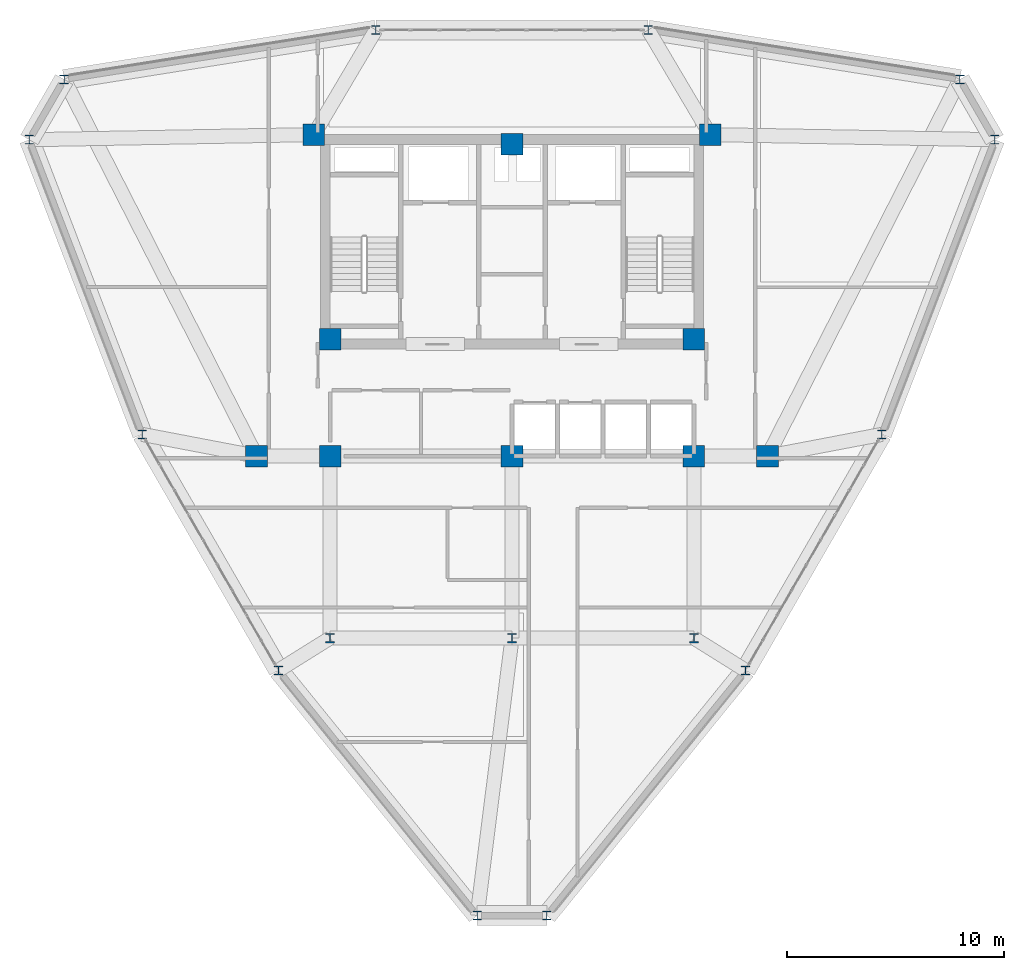
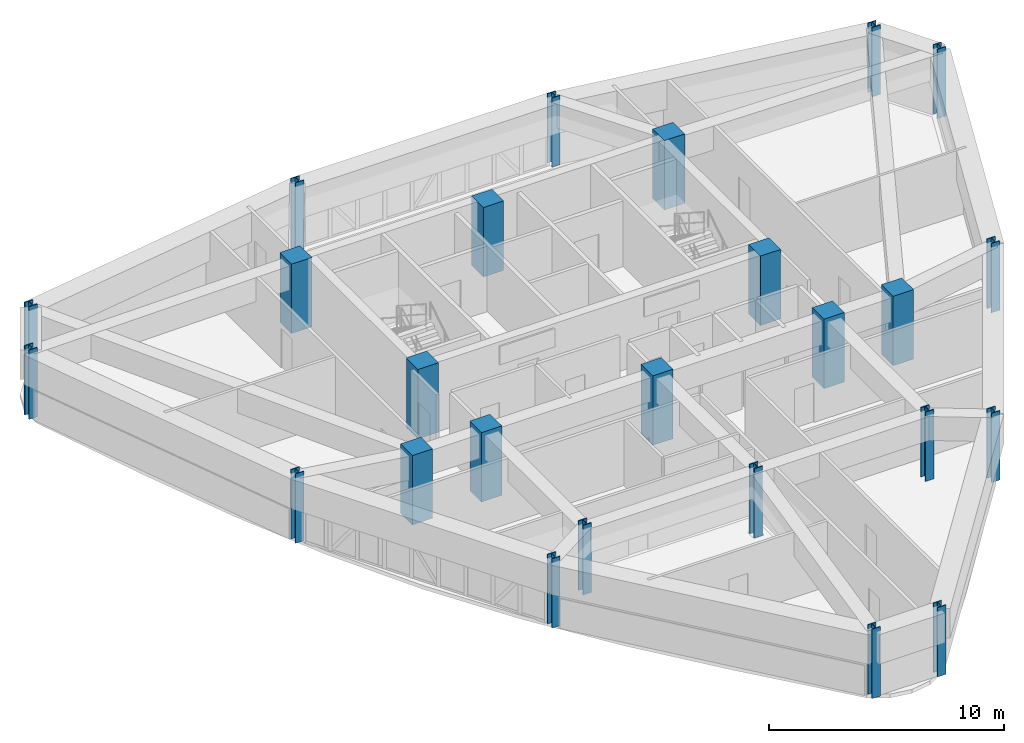
# One storey, part 1 of 13: 25 columns.
"""IFC4 building model written with IfcOpenShell, lengths in metres."""

from ifc_helpers import new_model, si_unit, derived_unit, direction, frame, origin, origin_2d, place, context, subcontext, project, spatial, rectangle, i_section, extrude, source, transform, mapped, material, material_profile, profile_set, type_object, element, save


model = new_model("IFC4")

# Units and contexts
model_context = context("Model", 3, precision=1e-05, world=origin(), true_north=direction((0.0, 1.0)))
body_context = subcontext(model_context, "Body", "Model", "MODEL_VIEW")
ifc_project = project(units=[si_unit("LENGTHUNIT", "METRE"), si_unit("AREAUNIT", "SQUARE_METRE"), si_unit("VOLUMEUNIT", "CUBIC_METRE"), si_unit("PLANEANGLEUNIT", "RADIAN"), si_unit("MASSUNIT", "GRAM", prefix="KILO"), derived_unit("THERMALTRANSMITTANCEUNIT", [(si_unit("POWERUNIT", "WATT"), 1), (si_unit("LENGTHUNIT", "METRE"), -2), (si_unit("THERMODYNAMICTEMPERATUREUNIT", "KELVIN"), -1)])], contexts=[model_context])

# Site, building, storey
site_placement = place(None, origin())
site = spatial("IfcSite", under=ifc_project, at=site_placement, CompositionType="ELEMENT")
building_placement = place(site_placement, origin())
building = spatial("IfcBuilding", under=site, at=building_placement, Name="Korsvarv Bourse and Concert Hall", CompositionType="ELEMENT")
storey_placement = place(building_placement, frame((0.0, 0.0, 183.0)))
storey = spatial("IfcBuildingStorey", under=building, at=storey_placement, Name="L47", CompositionType="ELEMENT", Elevation=183.0)

# Columns
ifc_material_1 = material(Name="Steel S355", Category="steel")
ifc_material_profile_1 = material_profile(ifc_material_1, i_section(OverallWidth=0.412109375, OverallDepth=0.43505859375, WebThickness=0.032958984375, FlangeThickness=0.052978515625, FilletRadius=0.014892578125, at=origin_2d()), Name="HD 400x463")
ifc_profile_set_1 = profile_set([ifc_material_profile_1], Name="Steel S355")
column_type_1 = type_object("IfcColumnType", Name="COL-HD463", PredefinedType="COLUMN", material=ifc_profile_set_1)
shared_shape_1 = source(origin(), body_context, "Body", "SweptSolid", [
    extrude(i_section(OverallWidth=0.412109375, OverallDepth=0.43505859375, WebThickness=0.032958984375, FlangeThickness=0.052978515625, FilletRadius=0.014892578125, at=origin_2d()), origin(), (0.0, 0.0, 1.0), 3.60009765625),
])
for number, where, z_axis, x_axis, name in (
    (1, (27.60009765625, 24.0, 0.0), (0.0, 0.0, 1.0), (1.0, 0.0, 0.0), "L47 column C-09"),
    (2, (44.39990234375, 24.0, 0.0), (0.0, 0.0, 1.0), (1.0, 0.0, 0.0), "L47 column C-09"),
    (3, (36.0, 24.0, 0.0), (0.0, 0.0, 1.0), (1.0, 0.0, 0.0), "L47 column C-09"),
):
    element("IfcColumn", number, at=place(storey_placement, frame(where, z_axis=z_axis, x_axis=x_axis)), inside=storey, type_object=column_type_1, Name=name, PredefinedType="COLUMN", context=body_context, shape_type="MappedRepresentation", body=[
        mapped(shared_shape_1, transform((0.0, 0.0, 0.0), scale=1.0)),
    ])
ifc_material_2 = material(Name="Concrete C55/67", Category="concrete")
ifc_material_profile_2 = material_profile(ifc_material_2, rectangle(XDim=1.0, YDim=1.0, at=origin_2d()), Name="RC 1000x1000")
ifc_profile_set_2 = profile_set([ifc_material_profile_2], Name="Concrete C55/67")
column_type_2 = type_object("IfcColumnType", Name="COL-RC1000", PredefinedType="COLUMN", material=ifc_profile_set_2)
shared_shape_2 = source(origin(), body_context, "Body", "SweptSolid", [
    extrude(rectangle(XDim=1.0, YDim=1.0, at=origin_2d()), origin(), (0.0, 0.0, 1.0), 3.60009765625),
])
for number, where, z_axis, x_axis, name in (
    (4, (26.85009765625, 47.25, 0.0), (0.0, 0.0, 1.0), (1.0, 0.0, 0.0), "L47 column C-03"),
    (5, (45.14990234375, 47.25, 0.0), (0.0, 0.0, 1.0), (1.0, 0.0, 0.0), "L47 column C-03"),
    (6, (27.60009765625, 37.800048828125, 0.0), (0.0, 0.0, 1.0), (1.0, 0.0, 0.0), "L47 column C-03"),
    (7, (44.39990234375, 37.800048828125, 0.0), (0.0, 0.0, 1.0), (1.0, 0.0, 0.0), "L47 column C-03"),
    (8, (27.60009765625, 32.39990234375, 0.0), (0.0, 0.0, 1.0), (1.0, 0.0, 0.0), "L47 column C-03"),
    (9, (44.39990234375, 32.39990234375, 0.0), (0.0, 0.0, 1.0), (1.0, 0.0, 0.0), "L47 column C-03"),
    (10, (36.0, 46.800048828125, 0.0), (0.0, 0.0, 1.0), (1.0, 0.0, 0.0), "L47 column C-03"),
    (11, (36.0, 32.39990234375, 0.0), (0.0, 0.0, 1.0), (1.0, 0.0, 0.0), "L47 column C-03"),
    (12, (24.199951171875, 32.39990234375, 0.0), (0.0, 0.0, 1.0), (1.0, 0.0, 0.0), "L47 column C-03"),
    (13, (47.800048828125, 32.39990234375, 0.0), (0.0, 0.0, 1.0), (1.0, 0.0, 0.0), "L47 column C-03"),
):
    element("IfcColumn", number, at=place(storey_placement, frame(where, z_axis=z_axis, x_axis=x_axis)), inside=storey, type_object=column_type_2, Name=name, PredefinedType="COLUMN", context=body_context, shape_type="MappedRepresentation", body=[
        mapped(shared_shape_2, transform((0.0, 0.0, 0.0), scale=1.0)),
    ])
ifc_material_profile_3 = material_profile(ifc_material_1, i_section(OverallWidth=0.406005859375, OverallDepth=0.416015625, WebThickness=0.027099609375, FlangeThickness=0.0439453125, FilletRadius=0.014892578125, at=origin_2d()), Name="HD 400x382")
ifc_profile_set_3 = profile_set([ifc_material_profile_3], Name="Steel S355")
column_type_3 = type_object("IfcColumnType", Name="COL-HD382", PredefinedType="COLUMN", material=ifc_profile_set_3)
shared_shape_3 = source(origin(), body_context, "Body", "SweptSolid", [
    extrude(i_section(OverallWidth=0.406005859375, OverallDepth=0.416015625, WebThickness=0.027099609375, FlangeThickness=0.0439453125, FilletRadius=0.014892578125, at=origin_2d()), origin(), (0.0, 0.0, 1.0), 3.60009765625),
])
for number, where, z_axis, x_axis, name in (
    (14, (58.290283203125, 47.012939453125, 0.0), (0.0, 0.0, 1.0), (1.0, 0.0, 0.0), "L47 column C-10"),
    (15, (56.6826171875, 49.797607421875, 0.0), (0.0, 0.0, 1.0), (1.0, 0.0, 0.0), "L47 column C-10"),
    (16, (42.289306640625, 52.082275390625, 0.0), (0.0, 0.0, 1.0), (1.0, 0.0, 0.0), "L47 column C-10"),
    (17, (29.710693359375, 52.082275390625, 0.0), (0.0, 0.0, 1.0), (1.0, 0.0, 0.0), "L47 column C-10"),
    (18, (15.3173828125, 49.797607421875, 0.0), (0.0, 0.0, 1.0), (1.0, 0.0, 0.0), "L47 column C-10"),
    (19, (13.709716796875, 47.012939453125, 0.0), (0.0, 0.0, 1.0), (1.0, 0.0, 0.0), "L47 column C-10"),
    (20, (18.927490234375, 33.405517578125, 0.0), (0.0, 0.0, 1.0), (1.0, 0.0, 0.0), "L47 column C-10"),
    (21, (25.216796875, 22.51220703125, 0.0), (0.0, 0.0, 1.0), (1.0, 0.0, 0.0), "L47 column C-10"),
    (22, (34.392333984375, 11.189453125, 0.0), (0.0, 0.0, 1.0), (1.0, 0.0, 0.0), "L47 column C-10"),
    (23, (37.607666015625, 11.189453125, 0.0), (0.0, 0.0, 1.0), (1.0, 0.0, 0.0), "L47 column C-10"),
    (24, (46.783203125, 22.51220703125, 0.0), (0.0, 0.0, 1.0), (1.0, 0.0, 0.0), "L47 column C-10"),
    (25, (53.072509765625, 33.405517578125, 0.0), (0.0, 0.0, 1.0), (1.0, 0.0, 0.0), "L47 column C-10"),
):
    element("IfcColumn", number, at=place(storey_placement, frame(where, z_axis=z_axis, x_axis=x_axis)), inside=storey, type_object=column_type_3, Name=name, PredefinedType="COLUMN", context=body_context, shape_type="MappedRepresentation", body=[
        mapped(shared_shape_3, transform((0.0, 0.0, 0.0), scale=1.0)),
    ])

save(model, "model.ifc")
